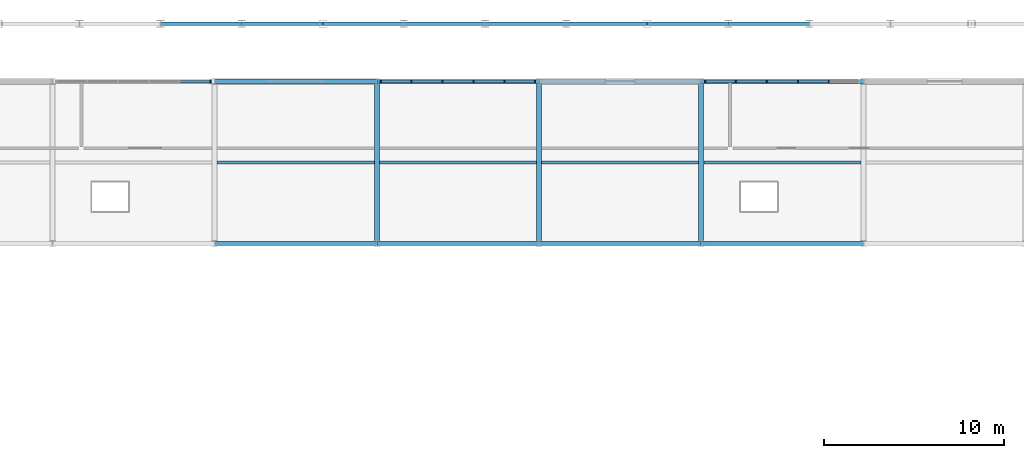
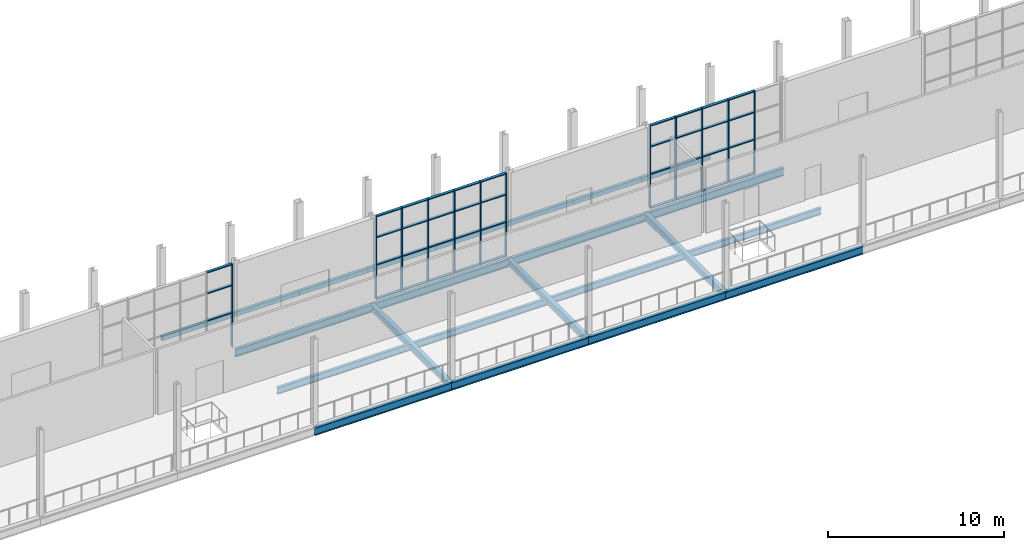
# One storey, part 63 of 159: 51 members, 23 beams, 3 elements without a shape of their own.
"""IFC4 building model written with IfcOpenShell, lengths in metres."""

from ifc_helpers import new_model, si_unit, direction, frame, origin, origin_2d, place, context, subcontext, project, spatial, rectangle, hollow_rectangle, i_section, extrude, material, layer, layer_set, material_profile, profile_set, type_object, element, aggregate, save


model = new_model("IFC4")

# Units and contexts
model_context = context("Model", 3, precision=1e-05, world=origin(), true_north=direction((0.0, 1.0)))
body_context = subcontext(model_context, "Body", "Model", "MODEL_VIEW")
ifc_project = project(units=[si_unit("LENGTHUNIT", "METRE"), si_unit("AREAUNIT", "SQUARE_METRE"), si_unit("VOLUMEUNIT", "CUBIC_METRE"), si_unit("PLANEANGLEUNIT", "RADIAN"), si_unit("MASSUNIT", "GRAM", prefix="KILO")], contexts=[model_context])

# Site, building, storey
site_placement = place(None, origin())
site = spatial("IfcSite", under=ifc_project, at=site_placement, CompositionType="ELEMENT")
building_placement = place(site_placement, origin())
building = spatial("IfcBuilding", under=site, at=building_placement, Name="Cazmaro Siding Exhibition Halls", CompositionType="ELEMENT")
storey_placement = place(building_placement, frame((0.0, 0.0, 6.0)))
storey = spatial("IfcBuildingStorey", under=building, at=storey_placement, Name="L01", CompositionType="ELEMENT", Elevation=6.0)

# Beams
ifc_material_1 = material(Name="Steel ASTM A992 Grade 50", Category="steel")
ifc_material_profile_1 = material_profile(ifc_material_1, i_section(OverallWidth=0.2099609375, OverallDepth=0.535888671875, WebThickness=0.010986328125, FlangeThickness=0.01708984375, at=origin_2d()), Name="W21X68")
ifc_profile_set_1 = profile_set([ifc_material_profile_1], Name="Steel ASTM A992 Grade 50")
beam_type_1 = type_object("IfcBeamType", Name="B-02", PredefinedType="BEAM", material=ifc_profile_set_1)
for number, where, z_axis, x_axis, name in (
    (1, (93.0, 111.800048828125, -0.488037109375), (1.0, 0.0, 0.0), (0.0, 1.0, 0.0), "Beam B-02 BM-0276"),
    (2, (93.0, 120.800048828125, -0.488037109375), (1.0, 0.0, 0.0), (0.0, 1.0, 0.0), "Beam B-02 BM-0277"),
    (3, (102.0, 111.800048828125, -0.488037109375), (1.0, 0.0, 0.0), (0.0, 1.0, 0.0), "Beam B-02 BM-0279"),
    (4, (102.0, 120.800048828125, -0.488037109375), (1.0, 0.0, 0.0), (0.0, 1.0, 0.0), "Beam B-02 BM-0280"),
    (5, (111.0, 111.800048828125, -0.488037109375), (1.0, 0.0, 0.0), (0.0, 1.0, 0.0), "Beam B-02 BM-0282"),
    (6, (111.0, 120.800048828125, -0.488037109375), (1.0, 0.0, 0.0), (0.0, 1.0, 0.0), "Beam B-02 BM-0283"),
    (7, (120.0, 111.800048828125, -0.488037109375), (1.0, 0.0, 0.0), (0.0, 1.0, 0.0), "Beam B-02 BM-0285"),
    (8, (120.0, 120.800048828125, -0.488037109375), (1.0, 0.0, 0.0), (0.0, 1.0, 0.0), "Beam B-02 BM-0286"),
):
    element("IfcBeam", number, at=place(storey_placement, frame(where, z_axis=z_axis, x_axis=x_axis)), inside=storey, type_object=beam_type_1, Name=name, PredefinedType="BEAM", context=body_context, shape_type="SweptSolid", body=[
        extrude(i_section(OverallWidth=0.2099609375, OverallDepth=0.535888671875, WebThickness=0.010986328125, FlangeThickness=0.01708984375, at=origin_2d()), origin(), (0.0, 0.0, 1.0), 9.0),
    ])
ifc_material_2 = material(Name="Steel ASTM A992 Grade 50", Category="steel")
ifc_material_profile_2 = material_profile(ifc_material_2, i_section(OverallWidth=0.279052734375, OverallDepth=0.4619140625, WebThickness=0.010986328125, FlangeThickness=0.01708984375, at=origin_2d()), Name="W18X76")
ifc_profile_set_2 = profile_set([ifc_material_profile_2], Name="Steel ASTM A992 Grade 50")
beam_type_2 = type_object("IfcBeamType", Name="B-03", PredefinedType="BEAM", material=ifc_profile_set_2)
for number, where, z_axis, x_axis, name in (
    (9, (102.0, 111.800048828125, -0.450927734375), (0.0, 1.0, 0.0), (-1.0, 0.0, 0.0), "Beam B-03 BM-0306"),
    (10, (111.0, 111.800048828125, -0.450927734375), (0.0, 1.0, 0.0), (-1.0, 0.0, 0.0), "Beam B-03 BM-0307"),
    (11, (120.0, 111.800048828125, -0.450927734375), (0.0, 1.0, 0.0), (-1.0, 0.0, 0.0), "Beam B-03 BM-0308"),
):
    element("IfcBeam", number, at=place(storey_placement, frame(where, z_axis=z_axis, x_axis=x_axis)), inside=storey, type_object=beam_type_2, Name=name, PredefinedType="BEAM", context=body_context, shape_type="SweptSolid", body=[
        extrude(i_section(OverallWidth=0.279052734375, OverallDepth=0.4619140625, WebThickness=0.010986328125, FlangeThickness=0.01708984375, at=origin_2d()), origin(), (0.0, 0.0, 1.0), 9.0),
    ])

# Curtain wall, member
ifc_material_3 = material(Name="Anodized Bronze Aluminum and Solar-Control Low-E Glazing", Category="aluminium")
ifc_layer = layer(ifc_material_3, 0.199951171875)
ifc_layer_set = layer_set([ifc_layer], Name="Anodized Bronze Aluminum and Solar-Control Low-E Glazing")
curtain_wall_type = type_object("IfcCurtainWallType", Name="CWS-02", PredefinedType="USERDEFINED", material=ifc_layer_set)
curtain_wall_1_placement = place(storey_placement, origin())
curtain_wall_1 = element("IfcCurtainWall", 12, at=curtain_wall_1_placement, inside=storey, type_object=curtain_wall_type, Name="Glazed Curtain Wall CWS-02 CW-017", ObjectType="GLAZED CURTAIN WALL", PredefinedType="USERDEFINED")
ifc_material_4 = material(Name="Anodized Bronze Extruded Aluminum", Category="aluminium")
ifc_material_profile_3 = material_profile(ifc_material_4, rectangle(XDim=0.199951171875, YDim=0.06494140625, at=origin_2d()), Name="CWM-02")
ifc_profile_set_3 = profile_set([ifc_material_profile_3], Name="Anodized Bronze Extruded Aluminum")
member_type_1 = type_object("IfcMemberType", Name="CWM-02", PredefinedType="MULLION", material=ifc_profile_set_3)
member_1_placement = place(storey_placement, frame((92.7705078125, 120.800048828125, 0.0), z_axis=(0.0, 0.0, 1.0), x_axis=(0.0, -1.0, 0.0)))
member_1 = element("IfcMember", 13, at=member_1_placement, type_object=member_type_1, Name="CWS-02 mullion 1", PredefinedType="MULLION", context=body_context, shape_type="SweptSolid", body=[
    extrude(rectangle(XDim=0.199951171875, YDim=0.06494140625, at=origin_2d()), origin(), (0.0, 0.0, 1.0), 5.780029296875),
])

# Curtain wall, members
curtain_wall_2_placement = place(storey_placement, origin())
curtain_wall_2 = element("IfcCurtainWall", 14, at=curtain_wall_2_placement, inside=storey, type_object=curtain_wall_type, Name="Glazed Curtain Wall CWS-02 CW-025", ObjectType="GLAZED CURTAIN WALL", PredefinedType="USERDEFINED")
member_2_placement = place(storey_placement, frame((110.7705078125, 120.800048828125, 0.0), z_axis=(0.0, 0.0, 1.0), x_axis=(0.0, -1.0, 0.0)))
member_2 = element("IfcMember", 15, at=member_2_placement, type_object=member_type_1, Name="CWS-02 mullion 1", PredefinedType="MULLION", context=body_context, shape_type="SweptSolid", body=[
    extrude(rectangle(XDim=0.199951171875, YDim=0.06494140625, at=origin_2d()), origin(), (0.0, 0.0, 1.0), 5.780029296875),
])
member_3_placement = place(storey_placement, frame((109.081787109375, 120.800048828125, 0.0), z_axis=(0.0, 0.0, 1.0), x_axis=(0.0, -1.0, 0.0)))
member_3 = element("IfcMember", 16, at=member_3_placement, type_object=member_type_1, Name="CWS-02 mullion 2", PredefinedType="MULLION", context=body_context, shape_type="SweptSolid", body=[
    extrude(rectangle(XDim=0.199951171875, YDim=0.06494140625, at=origin_2d()), origin(), (0.0, 0.0, 1.0), 5.780029296875),
])
member_4_placement = place(storey_placement, frame((107.360595703125, 120.800048828125, 0.0), z_axis=(0.0, 0.0, 1.0), x_axis=(0.0, -1.0, 0.0)))
member_4 = element("IfcMember", 17, at=member_4_placement, type_object=member_type_1, Name="CWS-02 mullion 3", PredefinedType="MULLION", context=body_context, shape_type="SweptSolid", body=[
    extrude(rectangle(XDim=0.199951171875, YDim=0.06494140625, at=origin_2d()), origin(), (0.0, 0.0, 1.0), 5.780029296875),
])
member_5_placement = place(storey_placement, frame((105.639404296875, 120.800048828125, 0.0), z_axis=(0.0, 0.0, 1.0), x_axis=(0.0, -1.0, 0.0)))
member_5 = element("IfcMember", 18, at=member_5_placement, type_object=member_type_1, Name="CWS-02 mullion 4", PredefinedType="MULLION", context=body_context, shape_type="SweptSolid", body=[
    extrude(rectangle(XDim=0.199951171875, YDim=0.06494140625, at=origin_2d()), origin(), (0.0, 0.0, 1.0), 5.780029296875),
])
member_6_placement = place(storey_placement, frame((103.918212890625, 120.800048828125, 0.0), z_axis=(0.0, 0.0, 1.0), x_axis=(0.0, -1.0, 0.0)))
member_6 = element("IfcMember", 19, at=member_6_placement, type_object=member_type_1, Name="CWS-02 mullion 5", PredefinedType="MULLION", context=body_context, shape_type="SweptSolid", body=[
    extrude(rectangle(XDim=0.199951171875, YDim=0.06494140625, at=origin_2d()), origin(), (0.0, 0.0, 1.0), 5.780029296875),
])
member_7_placement = place(storey_placement, frame((102.2294921875, 120.800048828125, 0.0), z_axis=(0.0, 0.0, 1.0), x_axis=(0.0, -1.0, 0.0)))
member_7 = element("IfcMember", 20, at=member_7_placement, type_object=member_type_1, Name="CWS-02 mullion 6", PredefinedType="MULLION", context=body_context, shape_type="SweptSolid", body=[
    extrude(rectangle(XDim=0.199951171875, YDim=0.06494140625, at=origin_2d()), origin(), (0.0, 0.0, 1.0), 5.780029296875),
])

curtain_wall_3_placement = place(storey_placement, origin())
curtain_wall_3 = element("IfcCurtainWall", 21, at=curtain_wall_3_placement, inside=storey, type_object=curtain_wall_type, Name="Glazed Curtain Wall CWS-02 CW-033", ObjectType="GLAZED CURTAIN WALL", PredefinedType="USERDEFINED")
member_8_placement = place(storey_placement, frame((127.081787109375, 120.800048828125, 0.0), z_axis=(0.0, 0.0, 1.0), x_axis=(0.0, -1.0, 0.0)))
member_8 = element("IfcMember", 22, at=member_8_placement, type_object=member_type_1, Name="CWS-02 mullion 2", PredefinedType="MULLION", context=body_context, shape_type="SweptSolid", body=[
    extrude(rectangle(XDim=0.199951171875, YDim=0.06494140625, at=origin_2d()), origin(), (0.0, 0.0, 1.0), 5.780029296875),
])
member_9_placement = place(storey_placement, frame((125.360595703125, 120.800048828125, 0.0), z_axis=(0.0, 0.0, 1.0), x_axis=(0.0, -1.0, 0.0)))
member_9 = element("IfcMember", 23, at=member_9_placement, type_object=member_type_1, Name="CWS-02 mullion 3", PredefinedType="MULLION", context=body_context, shape_type="SweptSolid", body=[
    extrude(rectangle(XDim=0.199951171875, YDim=0.06494140625, at=origin_2d()), origin(), (0.0, 0.0, 1.0), 5.780029296875),
])
member_10_placement = place(storey_placement, frame((123.639404296875, 120.800048828125, 0.0), z_axis=(0.0, 0.0, 1.0), x_axis=(0.0, -1.0, 0.0)))
member_10 = element("IfcMember", 24, at=member_10_placement, type_object=member_type_1, Name="CWS-02 mullion 4", PredefinedType="MULLION", context=body_context, shape_type="SweptSolid", body=[
    extrude(rectangle(XDim=0.199951171875, YDim=0.06494140625, at=origin_2d()), origin(), (0.0, 0.0, 1.0), 5.780029296875),
])
member_11_placement = place(storey_placement, frame((121.918212890625, 120.800048828125, 0.0), z_axis=(0.0, 0.0, 1.0), x_axis=(0.0, -1.0, 0.0)))
member_11 = element("IfcMember", 25, at=member_11_placement, type_object=member_type_1, Name="CWS-02 mullion 5", PredefinedType="MULLION", context=body_context, shape_type="SweptSolid", body=[
    extrude(rectangle(XDim=0.199951171875, YDim=0.06494140625, at=origin_2d()), origin(), (0.0, 0.0, 1.0), 5.780029296875),
])
member_12_placement = place(storey_placement, frame((120.2294921875, 120.800048828125, 0.0), z_axis=(0.0, 0.0, 1.0), x_axis=(0.0, -1.0, 0.0)))
member_12 = element("IfcMember", 26, at=member_12_placement, type_object=member_type_1, Name="CWS-02 mullion 6", PredefinedType="MULLION", context=body_context, shape_type="SweptSolid", body=[
    extrude(rectangle(XDim=0.199951171875, YDim=0.06494140625, at=origin_2d()), origin(), (0.0, 0.0, 1.0), 5.780029296875),
])

# Member
ifc_material_5 = material(Name="Anodized Bronze Extruded Aluminum", Category="aluminium")
ifc_material_profile_4 = material_profile(ifc_material_5, rectangle(XDim=0.179931640625, YDim=0.06494140625, at=origin_2d()), Name="CWT-02")
ifc_profile_set_4 = profile_set([ifc_material_profile_4], Name="Anodized Bronze Extruded Aluminum")
member_type_2 = type_object("IfcMemberType", Name="CWT-02", PredefinedType="MULLION", material=ifc_profile_set_4)
member_13_placement = place(storey_placement, frame((92.738037109375, 120.800048828125, 2.39990234375), z_axis=(-1.0, 0.0, 0.0), x_axis=(0.0, -1.0, 0.0)))
member_13 = element("IfcMember", 27, at=member_13_placement, type_object=member_type_2, Name="CWS-02 transom 1.2", ObjectType="TRANSOM", PredefinedType="USERDEFINED", context=body_context, shape_type="SweptSolid", body=[
    extrude(rectangle(XDim=0.179931640625, YDim=0.06494140625, at=origin_2d()), origin(), (0.0, 0.0, 1.0), 1.623779296875),
])

member_14_placement = place(storey_placement, frame((92.738037109375, 120.800048828125, 4.300048828125), z_axis=(-1.0, 0.0, 0.0), x_axis=(0.0, -1.0, 0.0)))
member_14 = element("IfcMember", 28, at=member_14_placement, type_object=member_type_2, Name="CWS-02 transom 1.3", ObjectType="TRANSOM", PredefinedType="USERDEFINED", context=body_context, shape_type="SweptSolid", body=[
    extrude(rectangle(XDim=0.179931640625, YDim=0.06494140625, at=origin_2d()), origin(), (0.0, 0.0, 1.0), 1.623779296875),
])

member_15_placement = place(storey_placement, frame((92.738037109375, 120.800048828125, 5.74755859375), z_axis=(-1.0, 0.0, 0.0), x_axis=(0.0, -1.0, 0.0)))
member_15 = element("IfcMember", 29, at=member_15_placement, type_object=member_type_2, Name="CWS-02 transom 1.4", ObjectType="TRANSOM", PredefinedType="USERDEFINED", context=body_context, shape_type="SweptSolid", body=[
    extrude(rectangle(XDim=0.179931640625, YDim=0.06494140625, at=origin_2d()), origin(), (0.0, 0.0, 1.0), 1.623779296875),
])

aggregate(curtain_wall_1, [member_1, member_13, member_14, member_15])

member_16_placement = place(storey_placement, frame((110.738037109375, 120.800048828125, 0.032470703125), z_axis=(-1.0, 0.0, 0.0), x_axis=(0.0, -1.0, 0.0)))
member_16 = element("IfcMember", 30, at=member_16_placement, type_object=member_type_2, Name="CWS-02 transom 1.1", ObjectType="TRANSOM", PredefinedType="USERDEFINED", context=body_context, shape_type="SweptSolid", body=[
    extrude(rectangle(XDim=0.179931640625, YDim=0.06494140625, at=origin_2d()), origin(), (0.0, 0.0, 1.0), 1.623779296875),
])

member_17_placement = place(storey_placement, frame((110.738037109375, 120.800048828125, 2.39990234375), z_axis=(-1.0, 0.0, 0.0), x_axis=(0.0, -1.0, 0.0)))
member_17 = element("IfcMember", 31, at=member_17_placement, type_object=member_type_2, Name="CWS-02 transom 1.2", ObjectType="TRANSOM", PredefinedType="USERDEFINED", context=body_context, shape_type="SweptSolid", body=[
    extrude(rectangle(XDim=0.179931640625, YDim=0.06494140625, at=origin_2d()), origin(), (0.0, 0.0, 1.0), 1.623779296875),
])

member_18_placement = place(storey_placement, frame((110.738037109375, 120.800048828125, 4.300048828125), z_axis=(-1.0, 0.0, 0.0), x_axis=(0.0, -1.0, 0.0)))
member_18 = element("IfcMember", 32, at=member_18_placement, type_object=member_type_2, Name="CWS-02 transom 1.3", ObjectType="TRANSOM", PredefinedType="USERDEFINED", context=body_context, shape_type="SweptSolid", body=[
    extrude(rectangle(XDim=0.179931640625, YDim=0.06494140625, at=origin_2d()), origin(), (0.0, 0.0, 1.0), 1.623779296875),
])

member_19_placement = place(storey_placement, frame((110.738037109375, 120.800048828125, 5.74755859375), z_axis=(-1.0, 0.0, 0.0), x_axis=(0.0, -1.0, 0.0)))
member_19 = element("IfcMember", 33, at=member_19_placement, type_object=member_type_2, Name="CWS-02 transom 1.4", ObjectType="TRANSOM", PredefinedType="USERDEFINED", context=body_context, shape_type="SweptSolid", body=[
    extrude(rectangle(XDim=0.179931640625, YDim=0.06494140625, at=origin_2d()), origin(), (0.0, 0.0, 1.0), 1.623779296875),
])

member_20_placement = place(storey_placement, frame((109.04931640625, 120.800048828125, 0.032470703125), z_axis=(-1.0, 0.0, 0.0), x_axis=(0.0, -1.0, 0.0)))
member_20 = element("IfcMember", 34, at=member_20_placement, type_object=member_type_2, Name="CWS-02 transom 2.1", ObjectType="TRANSOM", PredefinedType="USERDEFINED", context=body_context, shape_type="SweptSolid", body=[
    extrude(rectangle(XDim=0.179931640625, YDim=0.06494140625, at=origin_2d()), origin(), (0.0, 0.0, 1.0), 1.65625),
])

member_21_placement = place(storey_placement, frame((109.04931640625, 120.800048828125, 2.39990234375), z_axis=(-1.0, 0.0, 0.0), x_axis=(0.0, -1.0, 0.0)))
member_21 = element("IfcMember", 35, at=member_21_placement, type_object=member_type_2, Name="CWS-02 transom 2.2", ObjectType="TRANSOM", PredefinedType="USERDEFINED", context=body_context, shape_type="SweptSolid", body=[
    extrude(rectangle(XDim=0.179931640625, YDim=0.06494140625, at=origin_2d()), origin(), (0.0, 0.0, 1.0), 1.65625),
])

member_22_placement = place(storey_placement, frame((109.04931640625, 120.800048828125, 4.300048828125), z_axis=(-1.0, 0.0, 0.0), x_axis=(0.0, -1.0, 0.0)))
member_22 = element("IfcMember", 36, at=member_22_placement, type_object=member_type_2, Name="CWS-02 transom 2.3", ObjectType="TRANSOM", PredefinedType="USERDEFINED", context=body_context, shape_type="SweptSolid", body=[
    extrude(rectangle(XDim=0.179931640625, YDim=0.06494140625, at=origin_2d()), origin(), (0.0, 0.0, 1.0), 1.65625),
])

member_23_placement = place(storey_placement, frame((109.04931640625, 120.800048828125, 5.74755859375), z_axis=(-1.0, 0.0, 0.0), x_axis=(0.0, -1.0, 0.0)))
member_23 = element("IfcMember", 37, at=member_23_placement, type_object=member_type_2, Name="CWS-02 transom 2.4", ObjectType="TRANSOM", PredefinedType="USERDEFINED", context=body_context, shape_type="SweptSolid", body=[
    extrude(rectangle(XDim=0.179931640625, YDim=0.06494140625, at=origin_2d()), origin(), (0.0, 0.0, 1.0), 1.65625),
])

member_24_placement = place(storey_placement, frame((107.328125, 120.800048828125, 0.032470703125), z_axis=(-1.0, 0.0, 0.0), x_axis=(0.0, -1.0, 0.0)))
member_24 = element("IfcMember", 38, at=member_24_placement, type_object=member_type_2, Name="CWS-02 transom 3.1", ObjectType="TRANSOM", PredefinedType="USERDEFINED", context=body_context, shape_type="SweptSolid", body=[
    extrude(rectangle(XDim=0.179931640625, YDim=0.06494140625, at=origin_2d()), origin(), (0.0, 0.0, 1.0), 1.65625),
])

member_25_placement = place(storey_placement, frame((107.328125, 120.800048828125, 2.39990234375), z_axis=(-1.0, 0.0, 0.0), x_axis=(0.0, -1.0, 0.0)))
member_25 = element("IfcMember", 39, at=member_25_placement, type_object=member_type_2, Name="CWS-02 transom 3.2", ObjectType="TRANSOM", PredefinedType="USERDEFINED", context=body_context, shape_type="SweptSolid", body=[
    extrude(rectangle(XDim=0.179931640625, YDim=0.06494140625, at=origin_2d()), origin(), (0.0, 0.0, 1.0), 1.65625),
])

member_26_placement = place(storey_placement, frame((107.328125, 120.800048828125, 4.300048828125), z_axis=(-1.0, 0.0, 0.0), x_axis=(0.0, -1.0, 0.0)))
member_26 = element("IfcMember", 40, at=member_26_placement, type_object=member_type_2, Name="CWS-02 transom 3.3", ObjectType="TRANSOM", PredefinedType="USERDEFINED", context=body_context, shape_type="SweptSolid", body=[
    extrude(rectangle(XDim=0.179931640625, YDim=0.06494140625, at=origin_2d()), origin(), (0.0, 0.0, 1.0), 1.65625),
])

member_27_placement = place(storey_placement, frame((107.328125, 120.800048828125, 5.74755859375), z_axis=(-1.0, 0.0, 0.0), x_axis=(0.0, -1.0, 0.0)))
member_27 = element("IfcMember", 41, at=member_27_placement, type_object=member_type_2, Name="CWS-02 transom 3.4", ObjectType="TRANSOM", PredefinedType="USERDEFINED", context=body_context, shape_type="SweptSolid", body=[
    extrude(rectangle(XDim=0.179931640625, YDim=0.06494140625, at=origin_2d()), origin(), (0.0, 0.0, 1.0), 1.65625),
])

member_28_placement = place(storey_placement, frame((105.60693359375, 120.800048828125, 0.032470703125), z_axis=(-1.0, 0.0, 0.0), x_axis=(0.0, -1.0, 0.0)))
member_28 = element("IfcMember", 42, at=member_28_placement, type_object=member_type_2, Name="CWS-02 transom 4.1", ObjectType="TRANSOM", PredefinedType="USERDEFINED", context=body_context, shape_type="SweptSolid", body=[
    extrude(rectangle(XDim=0.179931640625, YDim=0.06494140625, at=origin_2d()), origin(), (0.0, 0.0, 1.0), 1.65625),
])

member_29_placement = place(storey_placement, frame((105.60693359375, 120.800048828125, 2.39990234375), z_axis=(-1.0, 0.0, 0.0), x_axis=(0.0, -1.0, 0.0)))
member_29 = element("IfcMember", 43, at=member_29_placement, type_object=member_type_2, Name="CWS-02 transom 4.2", ObjectType="TRANSOM", PredefinedType="USERDEFINED", context=body_context, shape_type="SweptSolid", body=[
    extrude(rectangle(XDim=0.179931640625, YDim=0.06494140625, at=origin_2d()), origin(), (0.0, 0.0, 1.0), 1.65625),
])

member_30_placement = place(storey_placement, frame((105.60693359375, 120.800048828125, 4.300048828125), z_axis=(-1.0, 0.0, 0.0), x_axis=(0.0, -1.0, 0.0)))
member_30 = element("IfcMember", 44, at=member_30_placement, type_object=member_type_2, Name="CWS-02 transom 4.3", ObjectType="TRANSOM", PredefinedType="USERDEFINED", context=body_context, shape_type="SweptSolid", body=[
    extrude(rectangle(XDim=0.179931640625, YDim=0.06494140625, at=origin_2d()), origin(), (0.0, 0.0, 1.0), 1.65625),
])

member_31_placement = place(storey_placement, frame((105.60693359375, 120.800048828125, 5.74755859375), z_axis=(-1.0, 0.0, 0.0), x_axis=(0.0, -1.0, 0.0)))
member_31 = element("IfcMember", 45, at=member_31_placement, type_object=member_type_2, Name="CWS-02 transom 4.4", ObjectType="TRANSOM", PredefinedType="USERDEFINED", context=body_context, shape_type="SweptSolid", body=[
    extrude(rectangle(XDim=0.179931640625, YDim=0.06494140625, at=origin_2d()), origin(), (0.0, 0.0, 1.0), 1.65625),
])

member_32_placement = place(storey_placement, frame((103.8857421875, 120.800048828125, 0.032470703125), z_axis=(-1.0, 0.0, 0.0), x_axis=(0.0, -1.0, 0.0)))
member_32 = element("IfcMember", 46, at=member_32_placement, type_object=member_type_2, Name="CWS-02 transom 5.1", ObjectType="TRANSOM", PredefinedType="USERDEFINED", context=body_context, shape_type="SweptSolid", body=[
    extrude(rectangle(XDim=0.179931640625, YDim=0.06494140625, at=origin_2d()), origin(), (0.0, 0.0, 1.0), 1.623779296875),
])

member_33_placement = place(storey_placement, frame((103.8857421875, 120.800048828125, 2.39990234375), z_axis=(-1.0, 0.0, 0.0), x_axis=(0.0, -1.0, 0.0)))
member_33 = element("IfcMember", 47, at=member_33_placement, type_object=member_type_2, Name="CWS-02 transom 5.2", ObjectType="TRANSOM", PredefinedType="USERDEFINED", context=body_context, shape_type="SweptSolid", body=[
    extrude(rectangle(XDim=0.179931640625, YDim=0.06494140625, at=origin_2d()), origin(), (0.0, 0.0, 1.0), 1.623779296875),
])

member_34_placement = place(storey_placement, frame((103.8857421875, 120.800048828125, 4.300048828125), z_axis=(-1.0, 0.0, 0.0), x_axis=(0.0, -1.0, 0.0)))
member_34 = element("IfcMember", 48, at=member_34_placement, type_object=member_type_2, Name="CWS-02 transom 5.3", ObjectType="TRANSOM", PredefinedType="USERDEFINED", context=body_context, shape_type="SweptSolid", body=[
    extrude(rectangle(XDim=0.179931640625, YDim=0.06494140625, at=origin_2d()), origin(), (0.0, 0.0, 1.0), 1.623779296875),
])

member_35_placement = place(storey_placement, frame((103.8857421875, 120.800048828125, 5.74755859375), z_axis=(-1.0, 0.0, 0.0), x_axis=(0.0, -1.0, 0.0)))
member_35 = element("IfcMember", 49, at=member_35_placement, type_object=member_type_2, Name="CWS-02 transom 5.4", ObjectType="TRANSOM", PredefinedType="USERDEFINED", context=body_context, shape_type="SweptSolid", body=[
    extrude(rectangle(XDim=0.179931640625, YDim=0.06494140625, at=origin_2d()), origin(), (0.0, 0.0, 1.0), 1.623779296875),
])

aggregate(curtain_wall_2, [member_2, member_3, member_4, member_5, member_6, member_7, member_16, member_17, member_18, member_19, member_20, member_21, member_22, member_23, member_24, member_25, member_26, member_27, member_28, member_29, member_30, member_31, member_32, member_33, member_34, member_35])

member_36_placement = place(storey_placement, frame((127.04931640625, 120.800048828125, 0.032470703125), z_axis=(-1.0, 0.0, 0.0), x_axis=(0.0, -1.0, 0.0)))
member_36 = element("IfcMember", 50, at=member_36_placement, type_object=member_type_2, Name="CWS-02 transom 2.1", ObjectType="TRANSOM", PredefinedType="USERDEFINED", context=body_context, shape_type="SweptSolid", body=[
    extrude(rectangle(XDim=0.179931640625, YDim=0.06494140625, at=origin_2d()), origin(), (0.0, 0.0, 1.0), 1.65625),
])

member_37_placement = place(storey_placement, frame((127.04931640625, 120.800048828125, 2.39990234375), z_axis=(-1.0, 0.0, 0.0), x_axis=(0.0, -1.0, 0.0)))
member_37 = element("IfcMember", 51, at=member_37_placement, type_object=member_type_2, Name="CWS-02 transom 2.2", ObjectType="TRANSOM", PredefinedType="USERDEFINED", context=body_context, shape_type="SweptSolid", body=[
    extrude(rectangle(XDim=0.179931640625, YDim=0.06494140625, at=origin_2d()), origin(), (0.0, 0.0, 1.0), 1.65625),
])

member_38_placement = place(storey_placement, frame((127.04931640625, 120.800048828125, 4.300048828125), z_axis=(-1.0, 0.0, 0.0), x_axis=(0.0, -1.0, 0.0)))
member_38 = element("IfcMember", 52, at=member_38_placement, type_object=member_type_2, Name="CWS-02 transom 2.3", ObjectType="TRANSOM", PredefinedType="USERDEFINED", context=body_context, shape_type="SweptSolid", body=[
    extrude(rectangle(XDim=0.179931640625, YDim=0.06494140625, at=origin_2d()), origin(), (0.0, 0.0, 1.0), 1.65625),
])

member_39_placement = place(storey_placement, frame((127.04931640625, 120.800048828125, 5.74755859375), z_axis=(-1.0, 0.0, 0.0), x_axis=(0.0, -1.0, 0.0)))
member_39 = element("IfcMember", 53, at=member_39_placement, type_object=member_type_2, Name="CWS-02 transom 2.4", ObjectType="TRANSOM", PredefinedType="USERDEFINED", context=body_context, shape_type="SweptSolid", body=[
    extrude(rectangle(XDim=0.179931640625, YDim=0.06494140625, at=origin_2d()), origin(), (0.0, 0.0, 1.0), 1.65625),
])

member_40_placement = place(storey_placement, frame((125.328125, 120.800048828125, 0.032470703125), z_axis=(-1.0, 0.0, 0.0), x_axis=(0.0, -1.0, 0.0)))
member_40 = element("IfcMember", 54, at=member_40_placement, type_object=member_type_2, Name="CWS-02 transom 3.1", ObjectType="TRANSOM", PredefinedType="USERDEFINED", context=body_context, shape_type="SweptSolid", body=[
    extrude(rectangle(XDim=0.179931640625, YDim=0.06494140625, at=origin_2d()), origin(), (0.0, 0.0, 1.0), 1.65625),
])

member_41_placement = place(storey_placement, frame((125.328125, 120.800048828125, 2.39990234375), z_axis=(-1.0, 0.0, 0.0), x_axis=(0.0, -1.0, 0.0)))
member_41 = element("IfcMember", 55, at=member_41_placement, type_object=member_type_2, Name="CWS-02 transom 3.2", ObjectType="TRANSOM", PredefinedType="USERDEFINED", context=body_context, shape_type="SweptSolid", body=[
    extrude(rectangle(XDim=0.179931640625, YDim=0.06494140625, at=origin_2d()), origin(), (0.0, 0.0, 1.0), 1.65625),
])

member_42_placement = place(storey_placement, frame((125.328125, 120.800048828125, 4.300048828125), z_axis=(-1.0, 0.0, 0.0), x_axis=(0.0, -1.0, 0.0)))
member_42 = element("IfcMember", 56, at=member_42_placement, type_object=member_type_2, Name="CWS-02 transom 3.3", ObjectType="TRANSOM", PredefinedType="USERDEFINED", context=body_context, shape_type="SweptSolid", body=[
    extrude(rectangle(XDim=0.179931640625, YDim=0.06494140625, at=origin_2d()), origin(), (0.0, 0.0, 1.0), 1.65625),
])

member_43_placement = place(storey_placement, frame((125.328125, 120.800048828125, 5.74755859375), z_axis=(-1.0, 0.0, 0.0), x_axis=(0.0, -1.0, 0.0)))
member_43 = element("IfcMember", 57, at=member_43_placement, type_object=member_type_2, Name="CWS-02 transom 3.4", ObjectType="TRANSOM", PredefinedType="USERDEFINED", context=body_context, shape_type="SweptSolid", body=[
    extrude(rectangle(XDim=0.179931640625, YDim=0.06494140625, at=origin_2d()), origin(), (0.0, 0.0, 1.0), 1.65625),
])

member_44_placement = place(storey_placement, frame((123.60693359375, 120.800048828125, 0.032470703125), z_axis=(-1.0, 0.0, 0.0), x_axis=(0.0, -1.0, 0.0)))
member_44 = element("IfcMember", 58, at=member_44_placement, type_object=member_type_2, Name="CWS-02 transom 4.1", ObjectType="TRANSOM", PredefinedType="USERDEFINED", context=body_context, shape_type="SweptSolid", body=[
    extrude(rectangle(XDim=0.179931640625, YDim=0.06494140625, at=origin_2d()), origin(), (0.0, 0.0, 1.0), 1.65625),
])

member_45_placement = place(storey_placement, frame((123.60693359375, 120.800048828125, 2.39990234375), z_axis=(-1.0, 0.0, 0.0), x_axis=(0.0, -1.0, 0.0)))
member_45 = element("IfcMember", 59, at=member_45_placement, type_object=member_type_2, Name="CWS-02 transom 4.2", ObjectType="TRANSOM", PredefinedType="USERDEFINED", context=body_context, shape_type="SweptSolid", body=[
    extrude(rectangle(XDim=0.179931640625, YDim=0.06494140625, at=origin_2d()), origin(), (0.0, 0.0, 1.0), 1.65625),
])

member_46_placement = place(storey_placement, frame((123.60693359375, 120.800048828125, 4.300048828125), z_axis=(-1.0, 0.0, 0.0), x_axis=(0.0, -1.0, 0.0)))
member_46 = element("IfcMember", 60, at=member_46_placement, type_object=member_type_2, Name="CWS-02 transom 4.3", ObjectType="TRANSOM", PredefinedType="USERDEFINED", context=body_context, shape_type="SweptSolid", body=[
    extrude(rectangle(XDim=0.179931640625, YDim=0.06494140625, at=origin_2d()), origin(), (0.0, 0.0, 1.0), 1.65625),
])

member_47_placement = place(storey_placement, frame((123.60693359375, 120.800048828125, 5.74755859375), z_axis=(-1.0, 0.0, 0.0), x_axis=(0.0, -1.0, 0.0)))
member_47 = element("IfcMember", 61, at=member_47_placement, type_object=member_type_2, Name="CWS-02 transom 4.4", ObjectType="TRANSOM", PredefinedType="USERDEFINED", context=body_context, shape_type="SweptSolid", body=[
    extrude(rectangle(XDim=0.179931640625, YDim=0.06494140625, at=origin_2d()), origin(), (0.0, 0.0, 1.0), 1.65625),
])

member_48_placement = place(storey_placement, frame((121.8857421875, 120.800048828125, 0.032470703125), z_axis=(-1.0, 0.0, 0.0), x_axis=(0.0, -1.0, 0.0)))
member_48 = element("IfcMember", 62, at=member_48_placement, type_object=member_type_2, Name="CWS-02 transom 5.1", ObjectType="TRANSOM", PredefinedType="USERDEFINED", context=body_context, shape_type="SweptSolid", body=[
    extrude(rectangle(XDim=0.179931640625, YDim=0.06494140625, at=origin_2d()), origin(), (0.0, 0.0, 1.0), 1.623779296875),
])

member_49_placement = place(storey_placement, frame((121.8857421875, 120.800048828125, 2.39990234375), z_axis=(-1.0, 0.0, 0.0), x_axis=(0.0, -1.0, 0.0)))
member_49 = element("IfcMember", 63, at=member_49_placement, type_object=member_type_2, Name="CWS-02 transom 5.2", ObjectType="TRANSOM", PredefinedType="USERDEFINED", context=body_context, shape_type="SweptSolid", body=[
    extrude(rectangle(XDim=0.179931640625, YDim=0.06494140625, at=origin_2d()), origin(), (0.0, 0.0, 1.0), 1.623779296875),
])

member_50_placement = place(storey_placement, frame((121.8857421875, 120.800048828125, 4.300048828125), z_axis=(-1.0, 0.0, 0.0), x_axis=(0.0, -1.0, 0.0)))
member_50 = element("IfcMember", 64, at=member_50_placement, type_object=member_type_2, Name="CWS-02 transom 5.3", ObjectType="TRANSOM", PredefinedType="USERDEFINED", context=body_context, shape_type="SweptSolid", body=[
    extrude(rectangle(XDim=0.179931640625, YDim=0.06494140625, at=origin_2d()), origin(), (0.0, 0.0, 1.0), 1.623779296875),
])

member_51_placement = place(storey_placement, frame((121.8857421875, 120.800048828125, 5.74755859375), z_axis=(-1.0, 0.0, 0.0), x_axis=(0.0, -1.0, 0.0)))
member_51 = element("IfcMember", 65, at=member_51_placement, type_object=member_type_2, Name="CWS-02 transom 5.4", ObjectType="TRANSOM", PredefinedType="USERDEFINED", context=body_context, shape_type="SweptSolid", body=[
    extrude(rectangle(XDim=0.179931640625, YDim=0.06494140625, at=origin_2d()), origin(), (0.0, 0.0, 1.0), 1.623779296875),
])

aggregate(curtain_wall_3, [member_8, member_9, member_10, member_11, member_12, member_36, member_37, member_38, member_39, member_40, member_41, member_42, member_43, member_44, member_45, member_46, member_47, member_48, member_49, member_50, member_51])

# Beams
ifc_material_6 = material(Name="Steel ASTM A992 Grade 50", Category="steel")
ifc_material_profile_5 = material_profile(ifc_material_6, i_section(OverallWidth=0.19091796875, OverallDepth=0.45703125, WebThickness=0.009033203125, FlangeThickness=0.013916015625, at=origin_2d()), Name="W18X50")
ifc_profile_set_5 = profile_set([ifc_material_profile_5], Name="Steel ASTM A992 Grade 50")
beam_type_3 = type_object("IfcBeamType", Name="J-01", PredefinedType="JOIST", material=ifc_profile_set_5)
for number, where, z_axis, x_axis, name in (
    (66, (93.139892578125, 116.300048828125, -0.448974609375), (1.0, 0.0, 0.0), (0.0, 1.0, 0.0), "Beam J-01 BM-0278"),
    (67, (102.139892578125, 116.300048828125, -0.448974609375), (1.0, 0.0, 0.0), (0.0, 1.0, 0.0), "Beam J-01 BM-0281"),
    (68, (111.139892578125, 116.300048828125, -0.448974609375), (1.0, 0.0, 0.0), (0.0, 1.0, 0.0), "Beam J-01 BM-0284"),
    (69, (120.139892578125, 116.300048828125, -0.448974609375), (1.0, 0.0, 0.0), (0.0, 1.0, 0.0), "Beam J-01 BM-0287"),
):
    element("IfcBeam", number, at=place(storey_placement, frame(where, z_axis=z_axis, x_axis=x_axis)), inside=storey, type_object=beam_type_3, Name=name, PredefinedType="JOIST", context=body_context, shape_type="SweptSolid", body=[
        extrude(i_section(OverallWidth=0.19091796875, OverallDepth=0.45703125, WebThickness=0.009033203125, FlangeThickness=0.013916015625, at=origin_2d()), origin(), (0.0, 0.0, 1.0), 8.72021484375),
    ])
ifc_material_7 = material(Name="Steel ASTM A500 Grade C", Category="steel")
ifc_material_profile_6 = material_profile(ifc_material_7, hollow_rectangle(XDim=0.202880859375, YDim=0.304931640625, WallThickness=0.011962890625, at=origin_2d()), Name="HSS12X8X1/2")
ifc_profile_set_6 = profile_set([ifc_material_profile_6], Name="Steel ASTM A500 Grade C")
beam_type_4 = type_object("IfcBeamType", Name="SP-01", PredefinedType="SPANDREL", material=ifc_profile_set_6)
for number, where, z_axis, x_axis, name in (
    (70, (90.0, 124.0, -0.3720703125), (1.0, 0.0, 0.0), (0.0, 1.0, 0.0), "Beam SP-01 BM-0124"),
    (71, (94.5, 124.0, -0.3720703125), (1.0, 0.0, 0.0), (0.0, 1.0, 0.0), "Beam SP-01 BM-0130"),
    (72, (99.0, 124.0, -0.3720703125), (1.0, 0.0, 0.0), (0.0, 1.0, 0.0), "Beam SP-01 BM-0136"),
    (73, (103.5, 124.0, -0.3720703125), (1.0, 0.0, 0.0), (0.0, 1.0, 0.0), "Beam SP-01 BM-0142"),
    (74, (108.0, 124.0, -0.3720703125), (1.0, 0.0, 0.0), (0.0, 1.0, 0.0), "Beam SP-01 BM-0148"),
    (75, (112.5, 124.0, -0.3720703125), (1.0, 0.0, 0.0), (0.0, 1.0, 0.0), "Beam SP-01 BM-0154"),
    (76, (117.0, 124.0, -0.3720703125), (1.0, 0.0, 0.0), (0.0, 1.0, 0.0), "Beam SP-01 BM-0160"),
    (77, (121.5, 124.0, -0.3720703125), (1.0, 0.0, 0.0), (0.0, 1.0, 0.0), "Beam SP-01 BM-0166"),
):
    element("IfcBeam", number, at=place(storey_placement, frame(where, z_axis=z_axis, x_axis=x_axis)), inside=storey, type_object=beam_type_4, Name=name, PredefinedType="SPANDREL", context=body_context, shape_type="SweptSolid", body=[
        extrude(hollow_rectangle(XDim=0.202880859375, YDim=0.304931640625, WallThickness=0.011962890625, at=origin_2d()), origin(), (0.0, 0.0, 1.0), 4.5),
    ])

save(model, "model.ifc")
